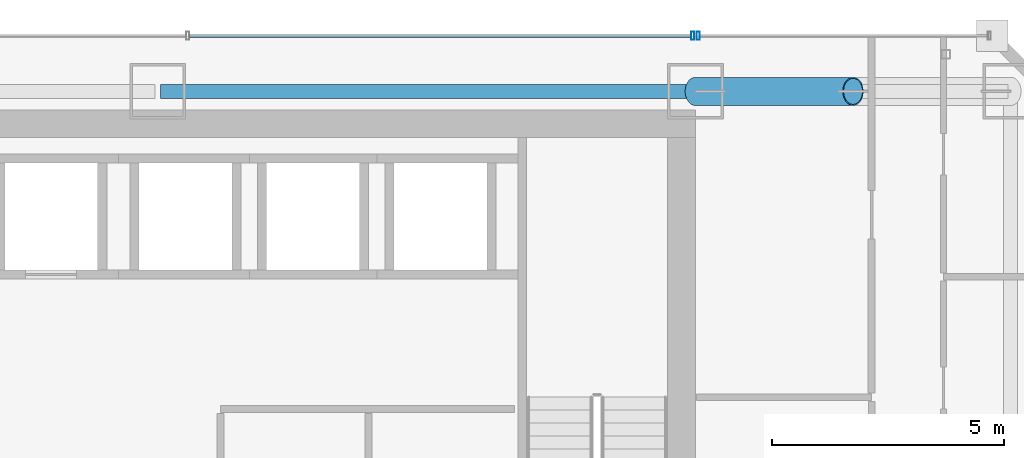
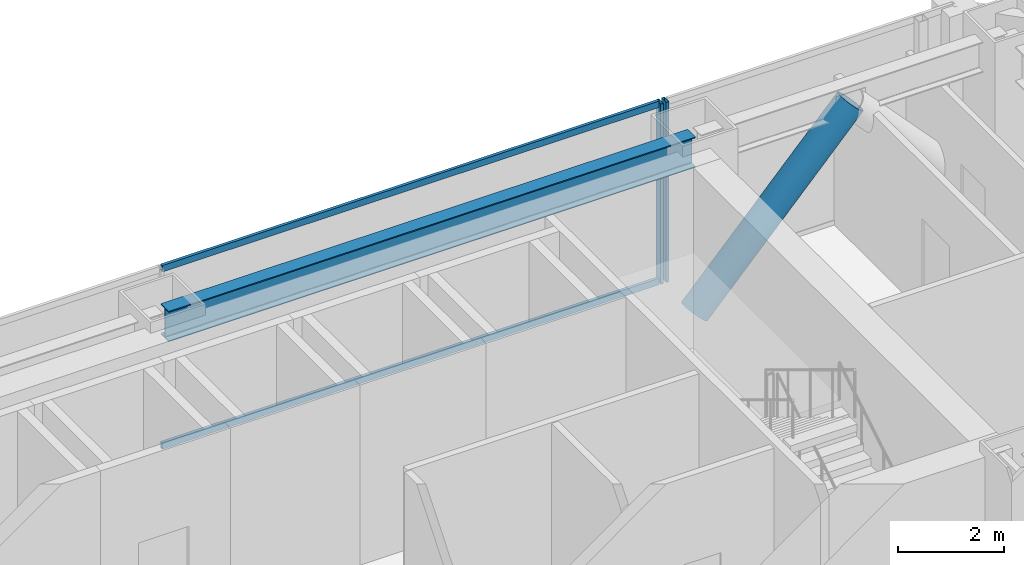
# One storey, part 32 of 47: 5 members, 1 beam, 2 elements without a shape of their own.
"""IFC4 building model written with IfcOpenShell, lengths in metres."""

from ifc_helpers import new_model, si_unit, direction, frame, origin, origin_2d, place, context, subcontext, project, spatial, hollow_rectangle, hollow_circle, i_section, extrude, material, material_profile, profile_set, type_object, element, aggregate, save


model = new_model("IFC4")

# Units and contexts
model_context = context("Model", 3, precision=1e-05, world=origin(), true_north=direction((0.0, 1.0)))
body_context = subcontext(model_context, "Body", "Model", "MODEL_VIEW")
ifc_project = project(units=[si_unit("LENGTHUNIT", "METRE"), si_unit("AREAUNIT", "SQUARE_METRE"), si_unit("VOLUMEUNIT", "CUBIC_METRE"), si_unit("PLANEANGLEUNIT", "RADIAN"), si_unit("MASSUNIT", "GRAM", prefix="KILO")], contexts=[model_context])

# Site, building, storey
site_placement = place(None, origin())
site = spatial("IfcSite", under=ifc_project, at=site_placement, CompositionType="ELEMENT")
building_placement = place(site_placement, origin())
building = spatial("IfcBuilding", under=site, at=building_placement, Name="Saevonmaru Cultural Tower", CompositionType="ELEMENT")
storey_placement = place(building_placement, frame((0.0, 0.0, 60.39990234375)))
storey = spatial("IfcBuildingStorey", under=building, at=storey_placement, Name="L12", CompositionType="ELEMENT", Elevation=60.39990234375)

# Beam
ifc_material_1 = material(Name="Steel SM355", Category="steel")
ifc_material_profile_1 = material_profile(ifc_material_1, i_section(OverallWidth=0.300048828125, OverallDepth=0.699951171875, WebThickness=0.012939453125, FlangeThickness=0.02392578125, FilletRadius=0.02587890625, at=origin_2d()), Name="H-700x300x13x24")
ifc_profile_set_1 = profile_set([ifc_material_profile_1], Name="Steel SM355")
beam_type = type_object("IfcBeamType", Name="BM-SP-H700", PredefinedType="SPANDREL", material=ifc_profile_set_1)
beam_placement = place(storey_placement, frame((34.860107421875, 54.800048828125, 3.800048828125), z_axis=(1.0, 0.0, 0.0), x_axis=(0.0, 1.0, 0.0)))
element("IfcBeam", 1, at=beam_placement, inside=storey, type_object=beam_type, Name="L12 North Spine Girder 4", PredefinedType="SPANDREL", context=body_context, shape_type="SweptSolid", body=[
    extrude(i_section(OverallWidth=0.300048828125, OverallDepth=0.699951171875, WebThickness=0.012939453125, FlangeThickness=0.02392578125, FilletRadius=0.02587890625, at=origin_2d()), origin(), (0.0, 0.0, 1.0), 11.47998046875),
])

# Member
ifc_material_2 = material(Name="Steel HSA600 (600 MPa)", Category="steel")
ifc_material_profile_2 = material_profile(ifc_material_2, hollow_circle(Radius=0.3046875, WallThickness=0.02490234375, at=origin_2d()), Name="CHS-609.6x25")
ifc_profile_set_2 = profile_set([ifc_material_profile_2], Name="Steel HSA600 (600 MPa)")
member_type_1 = type_object("IfcMemberType", Name="MB-PBR-CHS610", PredefinedType="BRACE", material=ifc_profile_set_2)
member_1_placement = place(storey_placement, frame((46.39990234375, 54.800048828125, 0.02001953125), z_axis=(0.681604731977, 0.0, 0.731720567803), x_axis=(0.0, 1.0, 0.0)))
element("IfcMember", 2, at=member_1_placement, inside=storey, type_object=member_type_1, Name="L12 Perimeter Braced-Tube Diagonal EN1", PredefinedType="BRACE", context=body_context, shape_type="SweptSolid", body=[
    extrude(hollow_circle(Radius=0.3046875, WallThickness=0.02490234375, at=origin_2d()), origin(), (0.0, 0.0, 1.0), 4.988525390625),
])

# Curtain wall, member
ifc_material_3 = material(Name="Satin Bronze Anodised Aluminium", Category="aluminium")
curtain_wall_type = type_object("IfcCurtainWallType", Name="CW-TYP-A", PredefinedType="NOTDEFINED", material=ifc_material_3)
curtain_wall_1_placement = place(storey_placement, origin())
curtain_wall_1 = element("IfcCurtainWall", 3, at=curtain_wall_1_placement, inside=storey, type_object=curtain_wall_type, Name="L12 East Braced Bay Spandrel Curtain Wall E10A", PredefinedType="NOTDEFINED")
ifc_material_profile_3 = material_profile(ifc_material_3, hollow_rectangle(XDim=0.06494140625, YDim=0.179931640625, WallThickness=0.00390625, at=origin_2d()), Name="ALU-MULL-180x65x4")
ifc_profile_set_3 = profile_set([ifc_material_profile_3], Name="Satin Bronze Anodised Aluminium")
member_type_2 = type_object("IfcMemberType", Name="ML-CW-180x65", PredefinedType="MULLION", material=ifc_profile_set_3)
member_2_placement = place(storey_placement, frame((46.4599609375, 56.0, 0.0), z_axis=(0.0, 0.0, 1.0), x_axis=(-1.0, 0.0, 0.0)))
member_2 = element("IfcMember", 4, at=member_2_placement, type_object=member_type_2, Name="CW-TW-L12-E10A mullion 2", PredefinedType="MULLION", context=body_context, shape_type="SweptSolid", body=[
    extrude(hollow_rectangle(XDim=0.06494140625, YDim=0.179931640625, WallThickness=0.00390625, at=origin_2d()), origin(), (0.0, 0.0, 1.0), 4.150146484375),
])
aggregate(curtain_wall_1, [member_2])

# Curtain wall, members
curtain_wall_2_placement = place(storey_placement, origin())
curtain_wall_2 = element("IfcCurtainWall", 5, at=curtain_wall_2_placement, inside=storey, type_object=curtain_wall_type, Name="L12 North Spine Unitised Curtain Wall E10B", PredefinedType="NOTDEFINED")
member_3_placement = place(storey_placement, frame((46.340087890625, 56.0, 0.0), z_axis=(0.0, 0.0, 1.0), x_axis=(-1.0, 0.0, 0.0)))
member_3 = element("IfcMember", 6, at=member_3_placement, type_object=member_type_2, Name="CW-TW-L12-E10B mullion 1", PredefinedType="MULLION", context=body_context, shape_type="SweptSolid", body=[
    extrude(hollow_rectangle(XDim=0.06494140625, YDim=0.179931640625, WallThickness=0.00390625, at=origin_2d()), origin(), (0.0, 0.0, 1.0), 4.150146484375),
])
ifc_material_profile_4 = material_profile(ifc_material_3, hollow_rectangle(XDim=0.06494140625, YDim=0.14990234375, WallThickness=0.00390625, at=origin_2d()), Name="ALU-TRAN-150x65x4")
ifc_profile_set_4 = profile_set([ifc_material_profile_4], Name="Satin Bronze Anodised Aluminium")
member_type_3 = type_object("IfcMemberType", Name="TR-CW-150x65", PredefinedType="USERDEFINED", material=ifc_profile_set_4)
member_4_placement = place(storey_placement, frame((46.3076171875, 56.0, 0.03271484375), z_axis=(-1.0, 0.0, 0.0), x_axis=(0.0, -1.0, 0.0)))
member_4 = element("IfcMember", 7, at=member_4_placement, type_object=member_type_3, Name="CW-TW-L12-E10B transom 1.1", ObjectType="TRANSOM", PredefinedType="USERDEFINED", context=body_context, shape_type="SweptSolid", body=[
    extrude(hollow_rectangle(XDim=0.06494140625, YDim=0.14990234375, WallThickness=0.00390625, at=origin_2d()), origin(), (0.0, 0.0, 1.0), 10.828369140625),
])
member_5_placement = place(storey_placement, frame((46.3076171875, 56.0, 4.11767578125), z_axis=(-1.0, 0.0, 0.0), x_axis=(0.0, -1.0, 0.0)))
member_5 = element("IfcMember", 8, at=member_5_placement, type_object=member_type_3, Name="CW-TW-L12-E10B transom 1.2", ObjectType="TRANSOM", PredefinedType="USERDEFINED", context=body_context, shape_type="SweptSolid", body=[
    extrude(hollow_rectangle(XDim=0.06494140625, YDim=0.14990234375, WallThickness=0.00390625, at=origin_2d()), origin(), (0.0, 0.0, 1.0), 10.828369140625),
])
aggregate(curtain_wall_2, [member_3, member_4, member_5])

save(model, "model.ifc")
